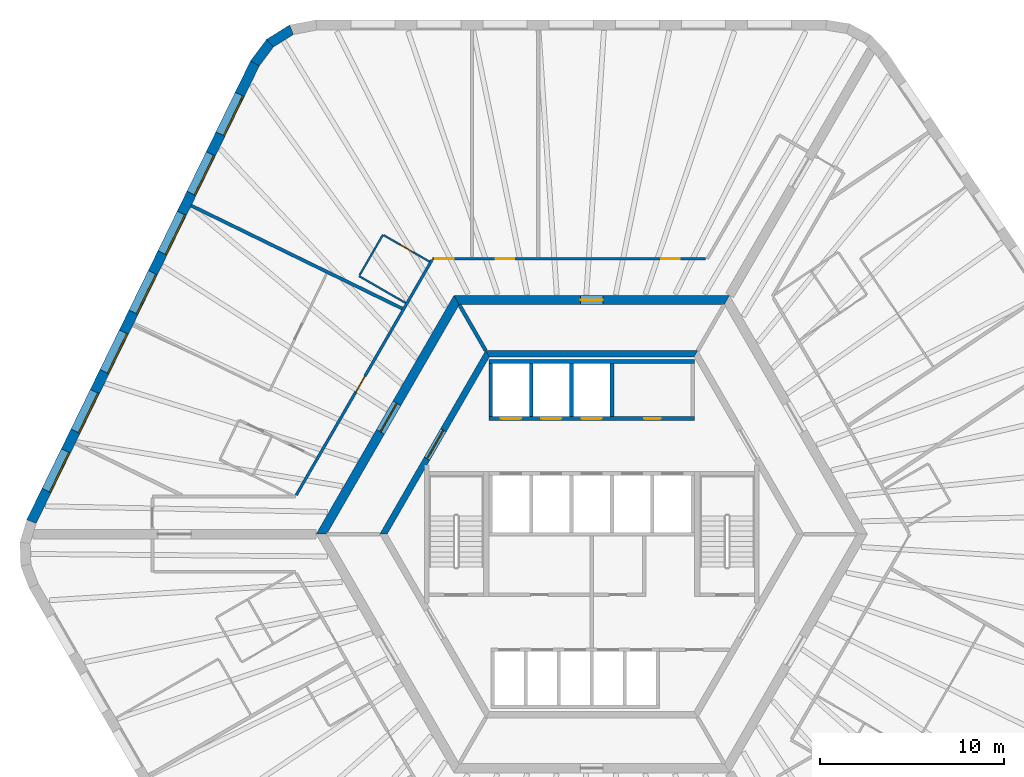
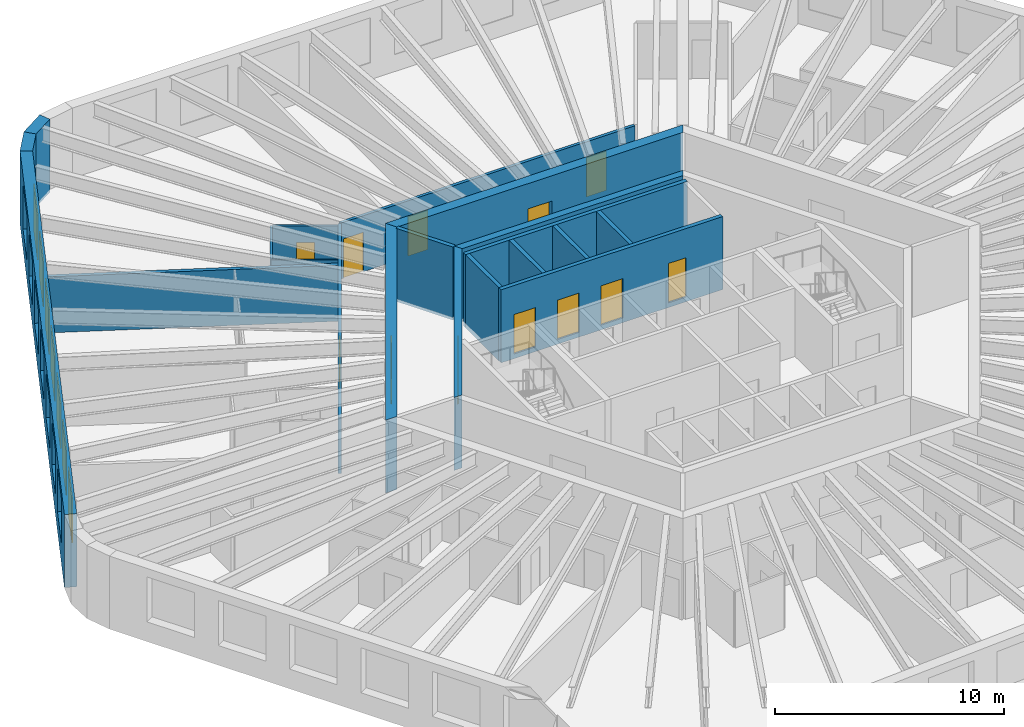
# One storey, part 7 of 10: 20 walls, 12 doors, 7 windows, 19 openings.
"""IFC4 building model written with IfcOpenShell, lengths in metres."""

import ifcopenshell
import ifcopenshell.guid

model = None  # the IFC model being written
_history = None  # IfcOwnerHistory: only IFC2X3 demands one
_inside = {}  # id of a spatial element -> (the spatial element, [elements in it])
_under = {}  # id of a project, library or spatial element -> (it, [spatial elements below it])
_declared = {}  # id of a project -> (the project, [libraries it declares])
_typed = {}  # id of a type object -> (the type object, [elements of that type])
_made_of = {}  # id of a material, layer set ... -> (it, [elements and type objects made of it])


def new_model(schema):
    """Start an empty IFC model of exactly this schema.

    Asked for "IFC4X3", IfcOpenShell would pick the latest addendum, in which some entities
    have other attributes; the version numbers below select the first issue.
    IFC2X3 requires an IfcOwnerHistory on every rooted entity: one is made here for all.
    """
    global model, _history
    if schema == "IFC4X3":
        model = ifcopenshell.file(schema_version=(4, 3, 0, 0))
    else:
        model = ifcopenshell.file(schema=schema)
    _inside.clear()
    _under.clear()
    _declared.clear()
    _typed.clear()
    _made_of.clear()
    _history = None
    if model.schema == "IFC2X3":
        org = make("IfcOrganization", Name="unknown")
        user = make(
            "IfcPersonAndOrganization",
            ThePerson=make("IfcPerson", FamilyName="unknown"),
            TheOrganization=org,
        )
        app = make(
            "IfcApplication",
            ApplicationDeveloper=org,
            Version="unknown",
            ApplicationFullName="unknown",
            ApplicationIdentifier="unknown",
        )
        _history = make(
            "IfcOwnerHistory",
            OwningUser=user,
            OwningApplication=app,
            ChangeAction="ADDED",
            CreationDate=0,
        )
    return model


def make(cls, **values):
    """One entity of the class cls with the attributes given. An attribute that is None is left unset."""
    return model.create_entity(
        cls, **{name: value for name, value in values.items() if value is not None}
    )


def rooted(cls, **values):
    """An entity with a GlobalId (a new one), such as an element, a storey or a relation."""
    return make(cls, GlobalId=ifcopenshell.guid.new(), OwnerHistory=_history, **values)


def si_unit(unit_type, name, prefix=None):
    """IfcSIUnit, for example si_unit("LENGTHUNIT", "METRE", prefix="MILLI")."""
    return make("IfcSIUnit", UnitType=unit_type, Prefix=prefix, Name=name)


def assignment(units):
    """IfcUnitAssignment: the units of a project."""
    return None if units is None else make("IfcUnitAssignment", Units=units)


def point(xyz):
    """IfcCartesianPoint."""
    return None if xyz is None else make("IfcCartesianPoint", Coordinates=xyz)


def direction(xyz):
    """IfcDirection."""
    return None if xyz is None else make("IfcDirection", DirectionRatios=xyz)


def frame(location, z_axis=None, x_axis=None):
    """IfcAxis2Placement3D, a coordinate frame: its origin and axes. An axis left out is left unset."""
    return make(
        "IfcAxis2Placement3D",
        Location=point(location),
        Axis=direction(z_axis),
        RefDirection=direction(x_axis),
    )


def frame_2d(location, x_axis=None):
    """IfcAxis2Placement2D, a coordinate frame in the plane: its origin and x axis."""
    return make(
        "IfcAxis2Placement2D", Location=point(location), RefDirection=direction(x_axis)
    )


def origin():
    """The frame at (0, 0, 0) with its axes left unset."""
    return frame((0.0, 0.0, 0.0))


def place(relative_to, where):
    """IfcLocalPlacement: puts the frame where relative to a parent placement (None: the world)."""
    return make(
        "IfcLocalPlacement", PlacementRelTo=relative_to, RelativePlacement=where
    )


def context(
    kind, dimensions, precision=None, world=None, true_north=None, identifier=None
):
    """IfcGeometricRepresentationContext, for example the 3D "Model" context."""
    return make(
        "IfcGeometricRepresentationContext",
        ContextIdentifier=identifier,
        ContextType=kind,
        CoordinateSpaceDimension=dimensions,
        Precision=precision,
        WorldCoordinateSystem=world,
        TrueNorth=true_north,
    )


def subcontext(parent, identifier, kind, view, scale=None):
    """IfcGeometricRepresentationSubContext, for example "Body" below "Model"."""
    return make(
        "IfcGeometricRepresentationSubContext",
        ContextIdentifier=identifier,
        ContextType=kind,
        ParentContext=parent,
        TargetScale=scale,
        TargetView=view,
    )


def project(units=None, contexts=None):
    """IfcProject with its units and contexts."""
    return rooted(
        "IfcProject",
        Name="project",
        RepresentationContexts=contexts,
        UnitsInContext=assignment(units),
    )


def spatial(cls, under=None, at=None, **own):
    """A site, building, storey or space (cls), placed at a placement, below another one or the project."""
    s = rooted(cls, ObjectPlacement=at, **own)
    if under is not None:
        _under.setdefault(under.id(), (under, []))[1].append(s)
    return s


def polyline(points):
    """IfcPolyline through the points."""
    return make("IfcPolyline", Points=[point(p) for p in points])


def profile(cls, at=None, kind="AREA", **sizes):
    """A parametric profile (cls). Its sizes go by their IFC names, for example OverallWidth=200.0."""
    return make(cls, ProfileType=kind, Position=at, **sizes)


def rectangle(**sizes):
    """IfcRectangleProfileDef."""
    return profile("IfcRectangleProfileDef", **sizes)


def outline(outer, holes=None, kind="AREA"):
    """IfcArbitraryClosedProfileDef: a profile drawn as a closed curve; with holes, ...WithVoids."""
    if holes is None:
        return make("IfcArbitraryClosedProfileDef", ProfileType=kind, OuterCurve=outer)
    return make(
        "IfcArbitraryProfileDefWithVoids",
        ProfileType=kind,
        OuterCurve=outer,
        InnerCurves=holes,
    )


def extrude(swept, where, along, depth):
    """IfcExtrudedAreaSolid: the profile swept, set in the frame where, extruded along a direction by depth."""
    return make(
        "IfcExtrudedAreaSolid",
        SweptArea=swept,
        Position=where,
        ExtrudedDirection=direction(along),
        Depth=depth,
    )


def shape(context_of_items, identifier, shape_type, items):
    """IfcShapeRepresentation: the items that make up one representation, for example the "Body"."""
    return make(
        "IfcShapeRepresentation",
        ContextOfItems=context_of_items,
        RepresentationIdentifier=identifier,
        RepresentationType=shape_type,
        Items=items,
    )


def material(Name=None, Category=None):
    """IfcMaterial."""
    return make("IfcMaterial", Name=Name, Category=Category)


def layer(
    of_material, thickness, ventilated=None, Name=None, Category=None, Priority=None
):
    """IfcMaterialLayer: one layer of a wall or slab, of a material (None: an air gap)."""
    return make(
        "IfcMaterialLayer",
        Material=of_material,
        LayerThickness=thickness,
        IsVentilated=ventilated,
        Name=Name,
        Category=Category,
        Priority=Priority,
    )


def layer_set(layers, Name=None):
    """IfcMaterialLayerSet."""
    return make("IfcMaterialLayerSet", MaterialLayers=layers, LayerSetName=Name)


def made_of(thing, what):
    """Note that an element or type object is made of a material, layer set ...; save() writes the relation."""
    if what is not None:
        _made_of.setdefault(what.id(), (what, []))[1].append(thing)
    return thing


def type_object(cls, material=None, **own):
    """A type object (cls), such as IfcWallType, which elements share."""
    return made_of(rooted(cls, **own), material)


def element(
    cls,
    number,
    at=None,
    inside=None,
    cuts=None,
    type_object=None,
    material=None,
    context=None,
    identifier="Body",
    shape_type=None,
    held_by="IfcProductDefinitionShape",
    body=None,
    shapes=None,
    **own,
):
    """One element of the class cls, such as IfcWall. Its Tag is "e" and its number.

    at: its placement. inside: the storey or other place that contains it. cuts: it is an
    opening in that element (IfcRelVoidsElement). A single representation is given by context,
    identifier, shape_type and body (its items); several are given by shapes. held_by: the class
    of the entity that holds the representations. save() writes the other relations.
    """
    e = rooted(cls, Tag="e%d" % number, ObjectPlacement=at, **own)
    if body is not None:
        shapes = [shape(context, identifier, shape_type, body)]
    if shapes is not None:
        e.Representation = make(held_by, Representations=shapes)
    if inside is not None:
        _inside.setdefault(inside.id(), (inside, []))[1].append(e)
    if cuts is not None:
        rooted(
            "IfcRelVoidsElement", RelatingBuildingElement=cuts, RelatedOpeningElement=e
        )
    if type_object is not None:
        _typed.setdefault(type_object.id(), (type_object, []))[1].append(e)
    return made_of(e, material)


def fill(opening, filler):
    """IfcRelFillsElement: the door or window that sits in an opening."""
    return rooted(
        "IfcRelFillsElement",
        RelatingOpeningElement=opening,
        RelatedBuildingElement=filler,
    )


def aggregate(whole, parts):
    """IfcRelAggregates: a whole, such as a stair, and the parts it consists of."""
    return rooted("IfcRelAggregates", RelatingObject=whole, RelatedObjects=parts)


def save(model, path):
    """Write the relations noted so far, then the file.

    IfcRelAggregates (storeys below a building ...), IfcRelContainedInSpatialStructure (elements
    in a storey), IfcRelDefinesByType, IfcRelAssociatesMaterial and IfcRelDeclares: one each for
    every whole, place, type object, material and project.
    """
    for whole, parts in _under.values():
        aggregate(whole, parts)
    for where, things in _inside.values():
        rooted(
            "IfcRelContainedInSpatialStructure",
            RelatedElements=things,
            RelatingStructure=where,
        )
    for kind, things in _typed.values():
        rooted("IfcRelDefinesByType", RelatedObjects=things, RelatingType=kind)
    for what, things in _made_of.values():
        rooted("IfcRelAssociatesMaterial", RelatedObjects=things, RelatingMaterial=what)
    for by, libraries in _declared.values():
        rooted("IfcRelDeclares", RelatingContext=by, RelatedDefinitions=libraries)
    model.write(path)


model = new_model("IFC4")

# Units and contexts
model_context = context("Model", 3, precision=1e-05, world=origin(), true_north=direction((0.0, 1.0)))
body_context = subcontext(model_context, "Body", "Model", "MODEL_VIEW")
ifc_project = project(units=[si_unit("LENGTHUNIT", "METRE"), si_unit("AREAUNIT", "SQUARE_METRE"), si_unit("VOLUMEUNIT", "CUBIC_METRE"), si_unit("PLANEANGLEUNIT", "RADIAN"), si_unit("MASSUNIT", "GRAM", prefix="KILO")], contexts=[model_context])

# Site, building, storey
site_placement = place(None, origin())
site = spatial("IfcSite", under=ifc_project, at=site_placement, CompositionType="ELEMENT")
building_placement = place(site_placement, origin())
building = spatial("IfcBuilding", under=site, at=building_placement, Name="Tarnside Tower", CompositionType="ELEMENT")
storey_placement = place(building_placement, frame((0.0, 0.0, 168.300048828125)))
storey = spatial("IfcBuildingStorey", under=building, at=storey_placement, Name="L39", CompositionType="ELEMENT", Elevation=168.300048828125)

# Walls
ifc_material_1 = material(Name="Gypsum board partition on steel studs", Category="steel")
ifc_layer_1 = layer(ifc_material_1, 0.10009765625)
ifc_layer_set_1 = layer_set([ifc_layer_1], Name="Bathroom wall 100")
wall_type_1 = type_object("IfcWallType", Name="Bathroom wall 100", PredefinedType="PARTITIONING", material=ifc_layer_set_1)
wall_1_placement = place(storey_placement, frame((-10.137939453125, 12.5908203125, 0.0), z_axis=(0.0, 0.0, 1.0), x_axis=(-0.866025730634, 0.499999433879, 0.0)))
element("IfcWall", 1, at=wall_1_placement, inside=storey, type_object=wall_type_1, Name="Bathroom wall 12047", PredefinedType="PARTITIONING", context=body_context, shape_type="SweptSolid", body=[
    extrude(rectangle(XDim=2.9248046875, YDim=0.10009765625, at=frame_2d((1.46240234375, 0.0))), origin(), (0.0, 0.0, 1.0), 2.98779296875),
])
wall_2_placement = place(storey_placement, frame((-12.64599609375, 14.096435546875, 0.0), z_axis=(0.0, 0.0, 1.0), x_axis=(0.500020783669, 0.866013403995, 0.0)))
element("IfcWall", 2, at=wall_2_placement, inside=storey, type_object=wall_type_1, Name="Bathroom wall 12048", PredefinedType="PARTITIONING", context=body_context, shape_type="SweptSolid", body=[
    extrude(rectangle(XDim=2.55029296875, YDim=0.10009765625, at=frame_2d((1.275146484375, 0.0))), origin(), (0.0, 0.0, 1.0), 2.98779296875),
])

# Wall, opening, door
wall_3_placement = place(storey_placement, frame((-11.32763671875, 16.280029296875, 0.0), z_axis=(0.0, 0.0, 1.0), x_axis=(0.865981939951, -0.500075274012, 0.0)))
wall_3 = element("IfcWall", 3, at=wall_3_placement, inside=storey, type_object=wall_type_1, Name="Bathroom wall 12049", PredefinedType="PARTITIONING", context=body_context, shape_type="SweptSolid", body=[
    extrude(rectangle(XDim=2.875, YDim=0.10009765625, at=frame_2d((1.4375, 0.0))), origin(), (0.0, 0.0, 1.0), 2.98779296875),
])
opening_1_placement = place(wall_3_placement, frame((1.050048828125, 0.0, 0.0)))
opening_1 = element("IfcOpeningElement", 4, at=opening_1_placement, cuts=wall_3, Name="Opening D-B1", PredefinedType="OPENING", context=body_context, shape_type="SweptSolid", body=[
    extrude(rectangle(XDim=0.800048828125, YDim=2.10009765625, at=frame_2d((0.39990234375, 1.050048828125))), frame((0.0, 0.06005859375, 0.0), z_axis=(0.0, -1.0, 0.0), x_axis=(1.0, 0.0, 0.0)), (0.0, 0.0, 1.0), 0.1201171875),
])
ifc_material_2 = material(Name="Timber door leaf", Category="wood")
door_type_1 = type_object("IfcDoorType", Name="Bathroom door 800", OperationType="NOTDEFINED", PredefinedType="DOOR", material=ifc_material_2)
door_1_placement = place(opening_1_placement, origin())
door_1 = element("IfcDoor", 5, at=door_1_placement, inside=storey, type_object=door_type_1, Name="Bathroom door 12004", OperationType="SINGLE_SWING_LEFT", OverallHeight=2.10009765625, OverallWidth=0.800048828125, PredefinedType="DOOR", context=body_context, shape_type="SweptSolid", body=[
    extrude(rectangle(XDim=0.800048828125, YDim=2.10009765625, at=frame_2d((0.39990234375, 1.050048828125))), frame((0.0, 0.02490234375, 0.0), z_axis=(0.0, -1.0, 0.0), x_axis=(1.0, 0.0, 0.0)), (0.0, 0.0, 1.0), 0.050048828125),
])
fill(opening_1, door_1)

ifc_material_3 = material(Name="Concrete C50/60", Category="concrete")
ifc_layer_2 = layer(ifc_material_3, 0.35009765625)
ifc_layer_set_2 = layer_set([ifc_layer_2], Name="Core block wall 350 C50/60")
wall_type_2 = type_object("IfcWallType", Name="Core block wall 350 C50/60", PredefinedType="SHEAR", material=ifc_layer_set_2)
wall_4_placement = place(storey_placement, frame((-5.672607421875, 9.824951171875, -0.150146484375), z_axis=(0.0, 0.0, 1.0), x_axis=(-0.499995046907, -0.866028263435, 0.0)))
wall_4 = element("IfcWall", 6, at=wall_4_placement, inside=storey, type_object=wall_type_2, Name="L39 core block wall face 2", PredefinedType="SHEAR", context=body_context, shape_type="SweptSolid", body=[
    extrude(outline(polyline([(-0.10107421875, -0.175048828125), (11.44580078125, -0.175048828125), (11.24365234375, 0.175048828125), (0.10107421875, 0.175048828125), (-0.10107421875, -0.175048828125)])), origin(), (0.0, 0.0, 1.0), 3.900146484375),
])
opening_2_placement = place(wall_4_placement, frame((4.80126953125, 0.0, 0.14990234375)))
opening_2 = element("IfcOpeningElement", 7, at=opening_2_placement, cuts=wall_4, Name="Opening CD-LOB", PredefinedType="OPENING", context=body_context, shape_type="SweptSolid", body=[
    extrude(rectangle(XDim=1.800048828125, YDim=2.39990234375, at=frame_2d((0.89990234375, 1.199951171875))), frame((0.0, 0.18505859375, 0.0), z_axis=(0.0, -1.0, 0.0), x_axis=(1.0, 0.0, 0.0)), (0.0, 0.0, 1.0), 0.3701171875),
])
ifc_material_4 = material(Name="Steel fire door", Category="steel")
door_type_2 = type_object("IfcDoorType", Name="Lobby double door FD30S 1800x2400", OperationType="NOTDEFINED", PredefinedType="DOOR", material=ifc_material_4)
door_2_placement = place(opening_2_placement, origin())
door_2 = element("IfcDoor", 8, at=door_2_placement, inside=storey, type_object=door_type_2, Name="L39 lobby block door P1", OperationType="DOUBLE_DOOR_SINGLE_SWING", OverallHeight=2.39990234375, OverallWidth=1.800048828125, PredefinedType="DOOR", context=body_context, shape_type="SweptSolid", body=[
    extrude(rectangle(XDim=1.800048828125, YDim=2.39990234375, at=frame_2d((0.89990234375, 1.199951171875))), frame((0.0, 0.02490234375, 0.0), z_axis=(0.0, -1.0, 0.0), x_axis=(1.0, 0.0, 0.0)), (0.0, 0.0, 1.0), 0.050048828125),
])
fill(opening_2, door_2)

# Wall
wall_5_placement = place(storey_placement, frame((5.672607421875, 9.824951171875, -0.150146484375), z_axis=(0.0, 0.0, 1.0), x_axis=(-1.0, 0.0, 0.0)))
element("IfcWall", 9, at=wall_5_placement, inside=storey, type_object=wall_type_2, Name="L39 core block wall face 1", PredefinedType="SHEAR", context=body_context, shape_type="SweptSolid", body=[
    extrude(outline(polyline([(-0.10107421875, -0.175048828125), (11.4462890625, -0.175048828125), (11.244140625, 0.175048828125), (0.10107421875, 0.175048828125), (-0.10107421875, -0.175048828125)])), origin(), (0.0, 0.0, 1.0), 3.900146484375),
])

# Wall, opening, door
ifc_material_5 = material(Name="Concrete C70/85", Category="concrete")
ifc_layer_3 = layer(ifc_material_5, 0.5)
ifc_layer_set_3 = layer_set([ifc_layer_3], Name="Core wall Z2 500 C70/85")
wall_type_3 = type_object("IfcWallType", Name="Core wall Z2 500 C70/85", PredefinedType="SHEAR", material=ifc_layer_set_3)
wall_6_placement = place(storey_placement, frame((-7.361083984375, 12.75, -0.150146484375), z_axis=(0.0, 0.0, 1.0), x_axis=(-0.50000571537, -0.866022103989, 0.0)))
wall_6 = element("IfcWall", 10, at=wall_6_placement, inside=storey, type_object=wall_type_3, Name="L39 core wall face 2", PredefinedType="SHEAR", context=body_context, shape_type="SweptSolid", body=[
    extrude(outline(polyline([(-0.144287109375, -0.25), (14.86669921875, -0.25), (14.578125, 0.25), (0.144287109375, 0.25), (-0.144287109375, -0.25)])), origin(), (0.0, 0.0, 1.0), 3.900146484375),
])
opening_3_placement = place(wall_6_placement, frame((6.489990234375, 0.0, 0.14990234375)))
opening_3 = element("IfcOpeningElement", 11, at=opening_3_placement, cuts=wall_6, Name="Opening CD-LOB", PredefinedType="OPENING", context=body_context, shape_type="SweptSolid", body=[
    extrude(rectangle(XDim=1.800048828125, YDim=2.39990234375, at=frame_2d((0.89990234375, 1.199951171875))), frame((0.0, 0.260009765625, 0.0), z_axis=(0.0, -1.0, 0.0), x_axis=(1.0, 0.0, 0.0)), (0.0, 0.0, 1.0), 0.52001953125),
])
door_3_placement = place(opening_3_placement, origin())
door_3 = element("IfcDoor", 12, at=door_3_placement, inside=storey, type_object=door_type_2, Name="L39 core door P1", OperationType="DOUBLE_DOOR_SINGLE_SWING", OverallHeight=2.39990234375, OverallWidth=1.800048828125, PredefinedType="DOOR", context=body_context, shape_type="SweptSolid", body=[
    extrude(rectangle(XDim=1.800048828125, YDim=2.39990234375, at=frame_2d((0.89990234375, 1.199951171875))), frame((0.0, 0.02490234375, 0.0), z_axis=(0.0, -1.0, 0.0), x_axis=(1.0, 0.0, 0.0)), (0.0, 0.0, 1.0), 0.050048828125),
])
fill(opening_3, door_3)

wall_7_placement = place(storey_placement, frame((7.361083984375, 12.75, -0.150146484375), z_axis=(0.0, 0.0, 1.0), x_axis=(-1.0, 0.0, 0.0)))
wall_7 = element("IfcWall", 13, at=wall_7_placement, inside=storey, type_object=wall_type_3, Name="L39 core wall face 1", PredefinedType="SHEAR", context=body_context, shape_type="SweptSolid", body=[
    extrude(outline(polyline([(-0.144287109375, -0.25), (14.866455078125, -0.25), (14.577880859375, 0.25), (0.144287109375, 0.25), (-0.144287109375, -0.25)])), origin(), (0.0, 0.0, 1.0), 3.900146484375),
])
opening_4_placement = place(wall_7_placement, frame((6.76123046875, 0.0, 0.14990234375)))
opening_4 = element("IfcOpeningElement", 14, at=opening_4_placement, cuts=wall_7, Name="Opening CD-RSR", PredefinedType="OPENING", context=body_context, shape_type="SweptSolid", body=[
    extrude(rectangle(XDim=1.199951171875, YDim=2.39990234375, at=frame_2d((0.60009765625, 1.199951171875))), frame((0.0, 0.260009765625, 0.0), z_axis=(0.0, -1.0, 0.0), x_axis=(1.0, 0.0, 0.0)), (0.0, 0.0, 1.0), 0.52001953125),
])
door_type_3 = type_object("IfcDoorType", Name="Riser door FD60 1200x2400", OperationType="NOTDEFINED", PredefinedType="DOOR", material=ifc_material_4)
door_4_placement = place(opening_4_placement, origin())
door_4 = element("IfcDoor", 15, at=door_4_placement, inside=storey, type_object=door_type_3, Name="L39 core door S5", OperationType="SINGLE_SWING_LEFT", OverallHeight=2.39990234375, OverallWidth=1.199951171875, PredefinedType="DOOR", context=body_context, shape_type="SweptSolid", body=[
    extrude(rectangle(XDim=1.199951171875, YDim=2.39990234375, at=frame_2d((0.60009765625, 1.199951171875))), frame((0.0, 0.02490234375, 0.0), z_axis=(0.0, -1.0, 0.0), x_axis=(1.0, 0.0, 0.0)), (0.0, 0.0, 1.0), 0.050048828125),
])
fill(opening_4, door_4)

# Wall, openings, doors
ifc_layer_4 = layer(ifc_material_1, 0.14990234375)
ifc_layer_set_4 = layer_set([ifc_layer_4], Name="Corridor wall 150 EI 60")
wall_type_4 = type_object("IfcWallType", Name="Corridor wall 150 EI 60", PredefinedType="PARTITIONING", material=ifc_layer_set_4)
wall_8_placement = place(storey_placement, frame((6.20654296875, 15.0, 0.0), z_axis=(0.0, 0.0, 1.0), x_axis=(-1.0, 0.0, 0.0)))
wall_8 = element("IfcWall", 16, at=wall_8_placement, inside=storey, type_object=wall_type_4, Name="Corridor wall 12003", PredefinedType="PARTITIONING", context=body_context, shape_type="SweptSolid", body=[
    extrude(rectangle(XDim=14.86669921875, YDim=0.14990234375, at=frame_2d((7.433349609375, 0.0))), origin(), (0.0, 0.0, 1.0), 2.98779296875),
])
opening_5_placement = place(wall_8_placement, frame((1.42431640625, 0.0, 0.0)))
opening_5 = element("IfcOpeningElement", 17, at=opening_5_placement, cuts=wall_8, Name="Opening D-E1", PredefinedType="OPENING", context=body_context, shape_type="SweptSolid", body=[
    extrude(rectangle(XDim=1.0, YDim=2.10009765625, at=frame_2d((0.5, 1.050048828125))), frame((0.0, 0.0849609375, 0.0), z_axis=(0.0, -1.0, 0.0), x_axis=(1.0, 0.0, 0.0)), (0.0, 0.0, 1.0), 0.169921875),
])
opening_6_placement = place(wall_8_placement, frame((10.42431640625, 0.0, 0.0)))
opening_6 = element("IfcOpeningElement", 18, at=opening_6_placement, cuts=wall_8, Name="Opening D-E1", PredefinedType="OPENING", context=body_context, shape_type="SweptSolid", body=[
    extrude(rectangle(XDim=1.0, YDim=2.10009765625, at=frame_2d((0.5, 1.050048828125))), frame((0.0, 0.0849609375, 0.0), z_axis=(0.0, -1.0, 0.0), x_axis=(1.0, 0.0, 0.0)), (0.0, 0.0, 1.0), 0.169921875),
])
opening_7_placement = place(wall_8_placement, frame((13.716796875, 0.0, 0.0)))
opening_7 = element("IfcOpeningElement", 19, at=opening_7_placement, cuts=wall_8, Name="Opening D-E1", PredefinedType="OPENING", context=body_context, shape_type="SweptSolid", body=[
    extrude(rectangle(XDim=1.0, YDim=2.10009765625, at=frame_2d((0.5, 1.050048828125))), frame((0.0, 0.0849609375, 0.0), z_axis=(0.0, -1.0, 0.0), x_axis=(1.0, 0.0, 0.0)), (0.0, 0.0, 1.0), 0.169921875),
])
door_type_4 = type_object("IfcDoorType", Name="Unit entrance door 1000 FD30S", OperationType="NOTDEFINED", PredefinedType="DOOR", material=ifc_material_2)
door_5_placement = place(opening_5_placement, origin())
door_5 = element("IfcDoor", 20, at=door_5_placement, inside=storey, type_object=door_type_4, Name="Unit door 12001", OperationType="SINGLE_SWING_RIGHT", OverallHeight=2.10009765625, OverallWidth=1.0, PredefinedType="DOOR", context=body_context, shape_type="SweptSolid", body=[
    extrude(rectangle(XDim=1.0, YDim=2.10009765625, at=frame_2d((0.5, 1.050048828125))), frame((0.0, 0.02490234375, 0.0), z_axis=(0.0, -1.0, 0.0), x_axis=(1.0, 0.0, 0.0)), (0.0, 0.0, 1.0), 0.050048828125),
])
fill(opening_5, door_5)
door_6_placement = place(opening_6_placement, origin())
door_6 = element("IfcDoor", 21, at=door_6_placement, inside=storey, type_object=door_type_4, Name="Unit door 12002", OperationType="SINGLE_SWING_RIGHT", OverallHeight=2.10009765625, OverallWidth=1.0, PredefinedType="DOOR", context=body_context, shape_type="SweptSolid", body=[
    extrude(rectangle(XDim=1.0, YDim=2.10009765625, at=frame_2d((0.5, 1.050048828125))), frame((0.0, 0.02490234375, 0.0), z_axis=(0.0, -1.0, 0.0), x_axis=(1.0, 0.0, 0.0)), (0.0, 0.0, 1.0), 0.050048828125),
])
fill(opening_6, door_6)
door_7_placement = place(opening_7_placement, origin())
door_7 = element("IfcDoor", 22, at=door_7_placement, inside=storey, type_object=door_type_4, Name="Unit door 12003", OperationType="SINGLE_SWING_LEFT", OverallHeight=2.10009765625, OverallWidth=1.0, PredefinedType="DOOR", context=body_context, shape_type="SweptSolid", body=[
    extrude(rectangle(XDim=1.0, YDim=2.10009765625, at=frame_2d((0.5, 1.050048828125))), frame((0.0, 0.02490234375, 0.0), z_axis=(0.0, -1.0, 0.0), x_axis=(1.0, 0.0, 0.0)), (0.0, 0.0, 1.0), 0.050048828125),
])
fill(opening_7, door_7)

# Wall, opening, door
wall_9_placement = place(storey_placement, frame((-8.70361328125, 14.925048828125, 0.0), z_axis=(0.0, 0.0, 1.0), x_axis=(-0.499988884089, -0.866031821464, 0.0)))
wall_9 = element("IfcWall", 23, at=wall_9_placement, inside=storey, type_object=wall_type_4, Name="Corridor wall 12005", PredefinedType="PARTITIONING", context=body_context, shape_type="SweptSolid", body=[
    extrude(rectangle(XDim=14.780029296875, YDim=0.14990234375, at=frame_2d((7.39013671875, 0.0))), origin(), (0.0, 0.0, 1.0), 2.98779296875),
])
opening_8_placement = place(wall_9_placement, frame((7.28076171875, 0.0, 0.0)))
opening_8 = element("IfcOpeningElement", 24, at=opening_8_placement, cuts=wall_9, Name="Opening D-E1", PredefinedType="OPENING", context=body_context, shape_type="SweptSolid", body=[
    extrude(rectangle(XDim=1.0, YDim=2.10009765625, at=frame_2d((0.5, 1.050048828125))), frame((0.0, 0.0849609375, 0.0), z_axis=(0.0, -1.0, 0.0), x_axis=(1.0, 0.0, 0.0)), (0.0, 0.0, 1.0), 0.169921875),
])
door_8_placement = place(opening_8_placement, origin())
door_8 = element("IfcDoor", 25, at=door_8_placement, inside=storey, type_object=door_type_4, Name="Unit door 12005", OperationType="SINGLE_SWING_RIGHT", OverallHeight=2.10009765625, OverallWidth=1.0, PredefinedType="DOOR", context=body_context, shape_type="SweptSolid", body=[
    extrude(rectangle(XDim=1.0, YDim=2.10009765625, at=frame_2d((0.5, 1.050048828125))), frame((0.0, 0.02490234375, 0.0), z_axis=(0.0, -1.0, 0.0), x_axis=(1.0, 0.0, 0.0)), (0.0, 0.0, 1.0), 0.050048828125),
])
fill(opening_8, door_8)

# Wall
ifc_layer_5 = layer(ifc_material_1, 0.179931640625)
ifc_layer_set_5 = layer_set([ifc_layer_5], Name="Demising wall 180 EI 60")
wall_type_5 = type_object("IfcWallType", Name="Demising wall 180 EI 60", PredefinedType="PARTITIONING", material=ifc_layer_set_5)
wall_10_placement = place(storey_placement, frame((-21.814697265625, 17.8916015625, 0.0), z_axis=(0.0, 0.0, 1.0), x_axis=(0.898799253997, -0.438360469265, 0.0)))
element("IfcWall", 26, at=wall_10_placement, inside=storey, type_object=wall_type_5, Name="Demising wall 12050", PredefinedType="PARTITIONING", context=body_context, shape_type="SweptSolid", body=[
    extrude(rectangle(XDim=12.7939453125, YDim=0.179931640625, at=frame_2d((6.39697265625, 0.0))), origin(), (0.0, 0.0, 1.0), 2.98779296875),
])

# Wall, openings, doors
ifc_material_6 = material(Name="Concrete C40/50", Category="concrete")
ifc_layer_6 = layer(ifc_material_6, 0.199951171875)
ifc_layer_set_6 = layer_set([ifc_layer_6], Name="Lift shaft wall 200 C40/50")
wall_type_6 = type_object("IfcWallType", Name="Lift shaft wall 200 C40/50", PredefinedType="SHEAR", material=ifc_layer_set_6)
wall_11_placement = place(storey_placement, frame((-5.60009765625, 6.300048828125, -0.25), z_axis=(0.0, 0.0, 1.0), x_axis=(1.0, 0.0, 0.0)))
wall_11 = element("IfcWall", 27, at=wall_11_placement, inside=storey, type_object=wall_type_6, Name="L39 lift shaft front wall R1", PredefinedType="SHEAR", context=body_context, shape_type="SweptSolid", body=[
    extrude(rectangle(XDim=11.2001953125, YDim=0.199951171875, at=frame_2d((5.60009765625, 0.0))), origin(), (0.0, 0.0, 1.0), 3.89990234375),
])
opening_9_placement = place(wall_11_placement, frame((8.449951171875, 0.0, 0.25)))
opening_9 = element("IfcOpeningElement", 28, at=opening_9_placement, cuts=wall_11, Name="Opening CD-room", PredefinedType="OPENING", context=body_context, shape_type="SweptSolid", body=[
    extrude(rectangle(XDim=0.89990234375, YDim=2.10009765625, at=frame_2d((0.449951171875, 1.050048828125))), frame((0.0, 0.10986328125, 0.0), z_axis=(0.0, -1.0, 0.0), x_axis=(1.0, 0.0, 0.0)), (0.0, 0.0, 1.0), 0.219970703125),
])
opening_10_placement = place(wall_11_placement, frame((0.64990234375, 0.0, 0.25)))
opening_10 = element("IfcOpeningElement", 29, at=opening_10_placement, cuts=wall_11, Name="Opening LD", PredefinedType="OPENING", context=body_context, shape_type="SweptSolid", body=[
    extrude(rectangle(XDim=1.10009765625, YDim=2.10009765625, at=frame_2d((0.550048828125, 1.050048828125))), frame((0.0, 0.10986328125, 0.0), z_axis=(0.0, -1.0, 0.0), x_axis=(1.0, 0.0, 0.0)), (0.0, 0.0, 1.0), 0.219970703125),
])
opening_11_placement = place(wall_11_placement, frame((2.85009765625, 0.0, 0.25)))
opening_11 = element("IfcOpeningElement", 30, at=opening_11_placement, cuts=wall_11, Name="Opening LD", PredefinedType="OPENING", context=body_context, shape_type="SweptSolid", body=[
    extrude(rectangle(XDim=1.10009765625, YDim=2.10009765625, at=frame_2d((0.550048828125, 1.050048828125))), frame((0.0, 0.10986328125, 0.0), z_axis=(0.0, -1.0, 0.0), x_axis=(1.0, 0.0, 0.0)), (0.0, 0.0, 1.0), 0.219970703125),
])
opening_12_placement = place(wall_11_placement, frame((5.050048828125, 0.0, 0.25)))
opening_12 = element("IfcOpeningElement", 31, at=opening_12_placement, cuts=wall_11, Name="Opening LD", PredefinedType="OPENING", context=body_context, shape_type="SweptSolid", body=[
    extrude(rectangle(XDim=1.10009765625, YDim=2.10009765625, at=frame_2d((0.550048828125, 1.050048828125))), frame((0.0, 0.10986328125, 0.0), z_axis=(0.0, -1.0, 0.0), x_axis=(1.0, 0.0, 0.0)), (0.0, 0.0, 1.0), 0.219970703125),
])
ifc_material_7 = material(Name="Stainless steel", Category="steel")
door_type_5 = type_object("IfcDoorType", Name="Lift landing door 1100x2100", OperationType="NOTDEFINED", PredefinedType="DOOR", material=ifc_material_7)
door_9_placement = place(opening_10_placement, origin())
door_9 = element("IfcDoor", 32, at=door_9_placement, inside=storey, type_object=door_type_5, Name="Mid-rise lift 1 landing door L39", OperationType="SLIDING_TO_LEFT", OverallHeight=2.10009765625, OverallWidth=1.10009765625, PredefinedType="DOOR", context=body_context, shape_type="SweptSolid", body=[
    extrude(rectangle(XDim=1.10009765625, YDim=2.10009765625, at=frame_2d((0.550048828125, 1.050048828125))), frame((0.0, 0.02490234375, 0.0), z_axis=(0.0, -1.0, 0.0), x_axis=(1.0, 0.0, 0.0)), (0.0, 0.0, 1.0), 0.050048828125),
])
fill(opening_10, door_9)
door_10_placement = place(opening_11_placement, origin())
door_10 = element("IfcDoor", 33, at=door_10_placement, inside=storey, type_object=door_type_5, Name="Mid-rise lift 2 landing door L39", OperationType="SLIDING_TO_LEFT", OverallHeight=2.10009765625, OverallWidth=1.10009765625, PredefinedType="DOOR", context=body_context, shape_type="SweptSolid", body=[
    extrude(rectangle(XDim=1.10009765625, YDim=2.10009765625, at=frame_2d((0.550048828125, 1.050048828125))), frame((0.0, 0.02490234375, 0.0), z_axis=(0.0, -1.0, 0.0), x_axis=(1.0, 0.0, 0.0)), (0.0, 0.0, 1.0), 0.050048828125),
])
fill(opening_11, door_10)
door_11_placement = place(opening_12_placement, origin())
door_11 = element("IfcDoor", 34, at=door_11_placement, inside=storey, type_object=door_type_5, Name="Mid-rise lift 3 landing door L39", OperationType="SLIDING_TO_LEFT", OverallHeight=2.10009765625, OverallWidth=1.10009765625, PredefinedType="DOOR", context=body_context, shape_type="SweptSolid", body=[
    extrude(rectangle(XDim=1.10009765625, YDim=2.10009765625, at=frame_2d((0.550048828125, 1.050048828125))), frame((0.0, 0.02490234375, 0.0), z_axis=(0.0, -1.0, 0.0), x_axis=(1.0, 0.0, 0.0)), (0.0, 0.0, 1.0), 0.050048828125),
])
fill(opening_12, door_11)
door_type_6 = type_object("IfcDoorType", Name="Room door FD60 900x2100", OperationType="NOTDEFINED", PredefinedType="DOOR", material=ifc_material_4)
door_12_placement = place(opening_9_placement, origin())
door_12 = element("IfcDoor", 35, at=door_12_placement, inside=storey, type_object=door_type_6, Name="L39 core room door FC1", OperationType="SINGLE_SWING_LEFT", OverallHeight=2.10009765625, OverallWidth=0.89990234375, PredefinedType="DOOR", context=body_context, shape_type="SweptSolid", body=[
    extrude(rectangle(XDim=0.89990234375, YDim=2.10009765625, at=frame_2d((0.449951171875, 1.050048828125))), frame((0.0, 0.02490234375, 0.0), z_axis=(0.0, -1.0, 0.0), x_axis=(1.0, 0.0, 0.0)), (0.0, 0.0, 1.0), 0.050048828125),
])
fill(opening_9, door_12)

# Walls
wall_12_placement = place(storey_placement, frame((-5.60009765625, 9.39990234375, -0.25), z_axis=(0.0, 0.0, 1.0), x_axis=(1.0, 0.0, 0.0)))
element("IfcWall", 36, at=wall_12_placement, inside=storey, type_object=wall_type_6, Name="L39 lift shaft back wall R1", PredefinedType="SHEAR", context=body_context, shape_type="SweptSolid", body=[
    extrude(rectangle(XDim=11.2001953125, YDim=0.199951171875, at=frame_2d((5.60009765625, 0.0))), origin(), (0.0, 0.0, 1.0), 3.89990234375),
])
for number, where, z_axis, x_axis, name in (
    (37, (-5.5, 6.39990234375, -0.25), (0.0, 0.0, 1.0), (0.0, 1.0, 0.0), "L39 lift shaft partition R11"),
    (38, (-3.300048828125, 6.39990234375, -0.25), (0.0, 0.0, 1.0), (0.0, 1.0, 0.0), "L39 lift shaft partition R12"),
    (39, (-1.10009765625, 6.39990234375, -0.25), (0.0, 0.0, 1.0), (0.0, 1.0, 0.0), "L39 lift shaft partition R13"),
    (40, (1.10009765625, 6.39990234375, -0.25), (0.0, 0.0, 1.0), (0.0, 1.0, 0.0), "L39 lift shaft partition R14"),
):
    element("IfcWall", number, at=place(storey_placement, frame(where, z_axis=z_axis, x_axis=x_axis)), inside=storey, type_object=wall_type_6, Name=name, PredefinedType="SHEAR", context=body_context, shape_type="SweptSolid", body=[
        extrude(rectangle(XDim=2.900146484375, YDim=0.199951171875, at=frame_2d((1.4501953125, 0.0))), origin(), (0.0, 0.0, 1.0), 3.89990234375),
    ])
wall_13_placement = place(storey_placement, frame((-5.7734375, 10.0, -0.150146484375), z_axis=(0.0, 0.0, 1.0), x_axis=(-0.499995765644, 0.866027848477, 0.0)))
element("IfcWall", 41, at=wall_13_placement, inside=storey, type_object=wall_type_6, Name="L39 core partition AR120", PredefinedType="SHEAR", context=body_context, shape_type="SweptSolid", body=[
    extrude(rectangle(XDim=2.88671875, YDim=0.199951171875, at=frame_2d((1.443359375, 0.0))), origin(), (0.0, 0.0, 1.0), 3.900146484375),
])
ifc_material_8 = material(Name="Facing brick", Category="masonry")
ifc_layer_7 = layer(ifc_material_8, 0.10205078125)
ifc_material_9 = material(Name="Concrete C60/75 precast", Category="concrete")
ifc_layer_8 = layer(ifc_material_9, 0.347900390625)
ifc_material_10 = material(Name="Mineral wool insulation")
ifc_layer_9 = layer(ifc_material_10, 0.10009765625)
ifc_layer_set_7 = layer_set([ifc_layer_7, ifc_layer_8, ifc_layer_9], Name="Tube wall 550 brick faced")
wall_type_7 = type_object("IfcWallType", Name="Tube wall 550 brick faced", PredefinedType="SOLIDWALL", material=ifc_layer_set_7)
wall_14_placement = place(storey_placement, frame((-16.35205078125, 27.4697265625, -0.150146484375), z_axis=(0.0, 0.0, 1.0), x_axis=(-0.848057977594, -0.5299034503, 0.0)))
element("IfcWall", 42, at=wall_14_placement, inside=storey, type_object=wall_type_7, Name="Tube wall L39 F1 chord 02", PredefinedType="SOLIDWALL", context=body_context, shape_type="SweptSolid", body=[
    extrude(outline(polyline([(-0.0517578125, -0.27490234375), (1.4306640625, -0.27490234375), (1.3271484375, 0.27490234375), (0.0517578125, 0.27490234375), (-0.0517578125, -0.27490234375)])), origin(), (0.0, 0.0, 1.0), 3.900146484375),
])
wall_15_placement = place(storey_placement, frame((-17.521484375, 26.739013671875, -0.150146484375), z_axis=(0.0, 0.0, 1.0), x_axis=(-0.597135295884, -0.802140535324, 0.0)))
element("IfcWall", 43, at=wall_15_placement, inside=storey, type_object=wall_type_7, Name="Tube wall L39 F1 chord 03", PredefinedType="SOLIDWALL", context=body_context, shape_type="SweptSolid", body=[
    extrude(outline(polyline([(-0.0517578125, -0.27490234375), (1.40478515625, -0.27490234375), (1.353515625, 0.27490234375), (0.0517578125, 0.27490234375), (-0.0517578125, -0.27490234375)])), origin(), (0.0, 0.0, 1.0), 3.900146484375),
])

# Wall, openings, windows
wall_16_placement = place(storey_placement, frame((-18.344970703125, 25.6328125, -0.150146484375), z_axis=(0.0, 0.0, 1.0), x_axis=(-0.43837181828, -0.898793718791, 0.0)))
wall_16 = element("IfcWall", 44, at=wall_16_placement, inside=storey, type_object=wall_type_7, Name="Tube wall L39 F2 flush 04", PredefinedType="SOLIDWALL", context=body_context, shape_type="SweptSolid", body=[
    extrude(outline(polyline([(-0.025634765625, -0.27490234375), (27.7802734375, -0.27490234375), (27.7353515625, 0.27490234375), (0.025634765625, 0.27490234375), (-0.025634765625, -0.27490234375)])), origin(), (0.0, 0.0, 1.0), 3.900146484375),
])
opening_13_placement = place(wall_16_placement, frame((1.87890625, 0.0, 1.050048828125)))
opening_13 = element("IfcOpeningElement", 45, at=opening_13_placement, cuts=wall_16, Name="Opening WH", PredefinedType="OPENING", context=body_context, shape_type="SweptSolid", body=[
    extrude(rectangle(XDim=2.39990234375, YDim=2.39990234375, at=frame_2d((1.199951171875, 1.199951171875))), frame((0.0, 0.28515625, 0.0), z_axis=(0.0, -1.0, 0.0), x_axis=(1.0, 0.0, 0.0)), (0.0, 0.0, 1.0), 0.570068359375),
])
opening_14_placement = place(wall_16_placement, frame((5.47900390625, 0.0, 1.050048828125)))
opening_14 = element("IfcOpeningElement", 46, at=opening_14_placement, cuts=wall_16, Name="Opening WH", PredefinedType="OPENING", context=body_context, shape_type="SweptSolid", body=[
    extrude(rectangle(XDim=2.39990234375, YDim=2.39990234375, at=frame_2d((1.199951171875, 1.199951171875))), frame((0.0, 0.28515625, 0.0), z_axis=(0.0, -1.0, 0.0), x_axis=(1.0, 0.0, 0.0)), (0.0, 0.0, 1.0), 0.570068359375),
])
opening_15_placement = place(wall_16_placement, frame((9.078857421875, 0.0, 1.050048828125)))
opening_15 = element("IfcOpeningElement", 47, at=opening_15_placement, cuts=wall_16, Name="Opening WH", PredefinedType="OPENING", context=body_context, shape_type="SweptSolid", body=[
    extrude(rectangle(XDim=2.39990234375, YDim=2.39990234375, at=frame_2d((1.199951171875, 1.199951171875))), frame((0.0, 0.28515625, 0.0), z_axis=(0.0, -1.0, 0.0), x_axis=(1.0, 0.0, 0.0)), (0.0, 0.0, 1.0), 0.570068359375),
])
opening_16_placement = place(wall_16_placement, frame((12.678955078125, 0.0, 1.050048828125)))
opening_16 = element("IfcOpeningElement", 48, at=opening_16_placement, cuts=wall_16, Name="Opening WH", PredefinedType="OPENING", context=body_context, shape_type="SweptSolid", body=[
    extrude(rectangle(XDim=2.39990234375, YDim=2.39990234375, at=frame_2d((1.199951171875, 1.199951171875))), frame((0.0, 0.28515625, 0.0), z_axis=(0.0, -1.0, 0.0), x_axis=(1.0, 0.0, 0.0)), (0.0, 0.0, 1.0), 0.570068359375),
])
opening_17_placement = place(wall_16_placement, frame((16.27880859375, 0.0, 1.050048828125)))
opening_17 = element("IfcOpeningElement", 49, at=opening_17_placement, cuts=wall_16, Name="Opening WH", PredefinedType="OPENING", context=body_context, shape_type="SweptSolid", body=[
    extrude(rectangle(XDim=2.39990234375, YDim=2.39990234375, at=frame_2d((1.199951171875, 1.199951171875))), frame((0.0, 0.28515625, 0.0), z_axis=(0.0, -1.0, 0.0), x_axis=(1.0, 0.0, 0.0)), (0.0, 0.0, 1.0), 0.570068359375),
])
opening_18_placement = place(wall_16_placement, frame((19.87890625, 0.0, 1.050048828125)))
opening_18 = element("IfcOpeningElement", 50, at=opening_18_placement, cuts=wall_16, Name="Opening WH", PredefinedType="OPENING", context=body_context, shape_type="SweptSolid", body=[
    extrude(rectangle(XDim=2.39990234375, YDim=2.39990234375, at=frame_2d((1.199951171875, 1.199951171875))), frame((0.0, 0.28515625, 0.0), z_axis=(0.0, -1.0, 0.0), x_axis=(1.0, 0.0, 0.0)), (0.0, 0.0, 1.0), 0.570068359375),
])
opening_19_placement = place(wall_16_placement, frame((23.47900390625, 0.0, 1.050048828125)))
opening_19 = element("IfcOpeningElement", 51, at=opening_19_placement, cuts=wall_16, Name="Opening WH", PredefinedType="OPENING", context=body_context, shape_type="SweptSolid", body=[
    extrude(rectangle(XDim=2.39990234375, YDim=2.39990234375, at=frame_2d((1.199951171875, 1.199951171875))), frame((0.0, 0.28515625, 0.0), z_axis=(0.0, -1.0, 0.0), x_axis=(1.0, 0.0, 0.0)), (0.0, 0.0, 1.0), 0.570068359375),
])
ifc_material_11 = material(Name="Aluminium-framed double glazing", Category="aluminium")
window_type = type_object("IfcWindowType", Name="Hotel window 2400 x 2400", PartitioningType="DOUBLE_PANEL_VERTICAL", PredefinedType="WINDOW", material=ifc_material_11)
window_1_placement = place(opening_13_placement, frame((0.0, 0.205078125, 0.0)))
window_1 = element("IfcWindow", 52, at=window_1_placement, inside=storey, type_object=window_type, Name="E.WN.L39.F2.00", OverallHeight=2.39990234375, OverallWidth=2.39990234375, PartitioningType="DOUBLE_PANEL_VERTICAL", PredefinedType="WINDOW", context=body_context, shape_type="SweptSolid", body=[
    extrude(rectangle(XDim=2.39990234375, YDim=2.39990234375, at=frame_2d((1.199951171875, 1.199951171875))), frame((0.0, 0.030029296875, 0.0), z_axis=(0.0, -1.0, 0.0), x_axis=(1.0, 0.0, 0.0)), (0.0, 0.0, 1.0), 0.06005859375),
])
fill(opening_13, window_1)
window_2_placement = place(opening_14_placement, frame((0.0, 0.205078125, 0.0)))
window_2 = element("IfcWindow", 53, at=window_2_placement, inside=storey, type_object=window_type, Name="E.WN.L39.F2.01", OverallHeight=2.39990234375, OverallWidth=2.39990234375, PartitioningType="DOUBLE_PANEL_VERTICAL", PredefinedType="WINDOW", context=body_context, shape_type="SweptSolid", body=[
    extrude(rectangle(XDim=2.39990234375, YDim=2.39990234375, at=frame_2d((1.199951171875, 1.199951171875))), frame((0.0, 0.030029296875, 0.0), z_axis=(0.0, -1.0, 0.0), x_axis=(1.0, 0.0, 0.0)), (0.0, 0.0, 1.0), 0.06005859375),
])
fill(opening_14, window_2)
window_3_placement = place(opening_15_placement, frame((0.0, 0.205078125, 0.0)))
window_3 = element("IfcWindow", 54, at=window_3_placement, inside=storey, type_object=window_type, Name="E.WN.L39.F2.02", OverallHeight=2.39990234375, OverallWidth=2.39990234375, PartitioningType="DOUBLE_PANEL_VERTICAL", PredefinedType="WINDOW", context=body_context, shape_type="SweptSolid", body=[
    extrude(rectangle(XDim=2.39990234375, YDim=2.39990234375, at=frame_2d((1.199951171875, 1.199951171875))), frame((0.0, 0.030029296875, 0.0), z_axis=(0.0, -1.0, 0.0), x_axis=(1.0, 0.0, 0.0)), (0.0, 0.0, 1.0), 0.06005859375),
])
fill(opening_15, window_3)
window_4_placement = place(opening_16_placement, frame((0.0, 0.205078125, 0.0)))
window_4 = element("IfcWindow", 55, at=window_4_placement, inside=storey, type_object=window_type, Name="E.WN.L39.F2.03", OverallHeight=2.39990234375, OverallWidth=2.39990234375, PartitioningType="DOUBLE_PANEL_VERTICAL", PredefinedType="WINDOW", context=body_context, shape_type="SweptSolid", body=[
    extrude(rectangle(XDim=2.39990234375, YDim=2.39990234375, at=frame_2d((1.199951171875, 1.199951171875))), frame((0.0, 0.030029296875, 0.0), z_axis=(0.0, -1.0, 0.0), x_axis=(1.0, 0.0, 0.0)), (0.0, 0.0, 1.0), 0.06005859375),
])
fill(opening_16, window_4)
window_5_placement = place(opening_17_placement, frame((0.0, 0.205078125, 0.0)))
window_5 = element("IfcWindow", 56, at=window_5_placement, inside=storey, type_object=window_type, Name="E.WN.L39.F2.04", OverallHeight=2.39990234375, OverallWidth=2.39990234375, PartitioningType="DOUBLE_PANEL_VERTICAL", PredefinedType="WINDOW", context=body_context, shape_type="SweptSolid", body=[
    extrude(rectangle(XDim=2.39990234375, YDim=2.39990234375, at=frame_2d((1.199951171875, 1.199951171875))), frame((0.0, 0.030029296875, 0.0), z_axis=(0.0, -1.0, 0.0), x_axis=(1.0, 0.0, 0.0)), (0.0, 0.0, 1.0), 0.06005859375),
])
fill(opening_17, window_5)
window_6_placement = place(opening_18_placement, frame((0.0, 0.205078125, 0.0)))
window_6 = element("IfcWindow", 57, at=window_6_placement, inside=storey, type_object=window_type, Name="E.WN.L39.F2.05", OverallHeight=2.39990234375, OverallWidth=2.39990234375, PartitioningType="DOUBLE_PANEL_VERTICAL", PredefinedType="WINDOW", context=body_context, shape_type="SweptSolid", body=[
    extrude(rectangle(XDim=2.39990234375, YDim=2.39990234375, at=frame_2d((1.199951171875, 1.199951171875))), frame((0.0, 0.030029296875, 0.0), z_axis=(0.0, -1.0, 0.0), x_axis=(1.0, 0.0, 0.0)), (0.0, 0.0, 1.0), 0.06005859375),
])
fill(opening_18, window_6)
window_7_placement = place(opening_19_placement, frame((0.0, 0.205078125, 0.0)))
window_7 = element("IfcWindow", 58, at=window_7_placement, inside=storey, type_object=window_type, Name="E.WN.L39.F2.06", OverallHeight=2.39990234375, OverallWidth=2.39990234375, PartitioningType="DOUBLE_PANEL_VERTICAL", PredefinedType="WINDOW", context=body_context, shape_type="SweptSolid", body=[
    extrude(rectangle(XDim=2.39990234375, YDim=2.39990234375, at=frame_2d((1.199951171875, 1.199951171875))), frame((0.0, 0.030029296875, 0.0), z_axis=(0.0, -1.0, 0.0), x_axis=(1.0, 0.0, 0.0)), (0.0, 0.0, 1.0), 0.06005859375),
])
fill(opening_19, window_7)

save(model, "model.ifc")
